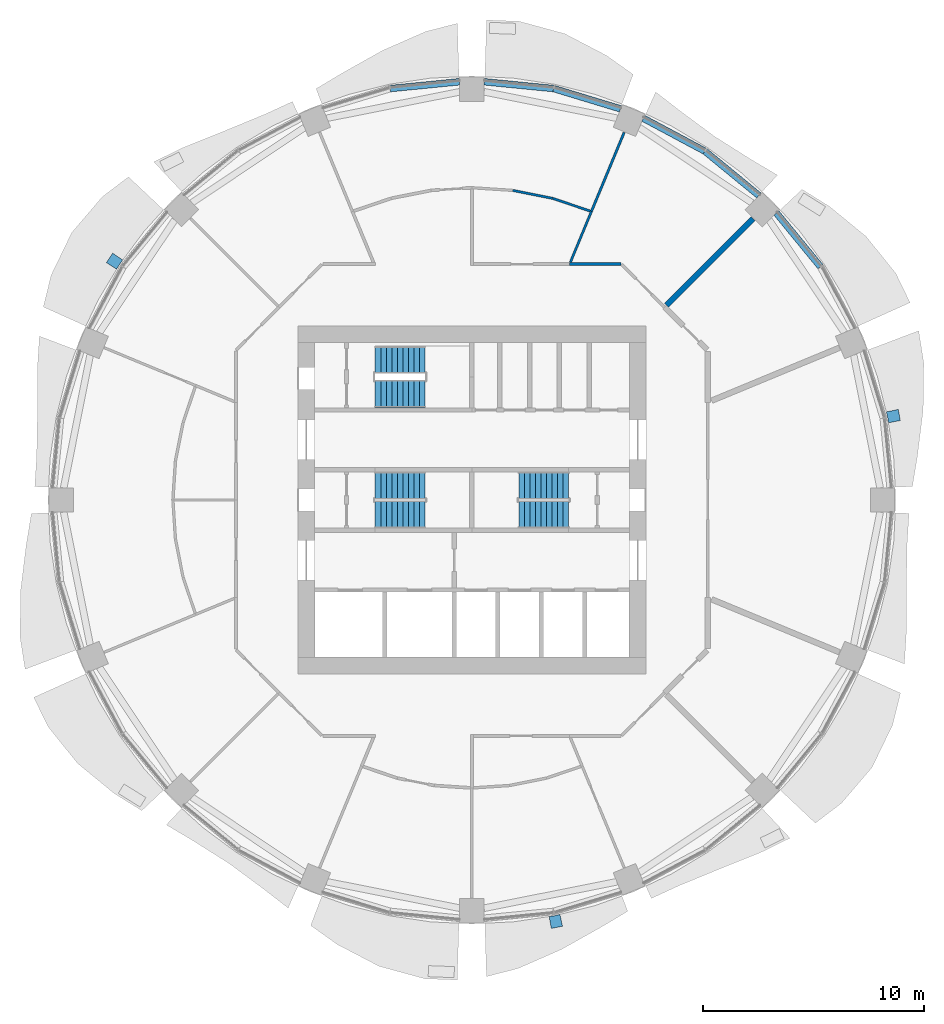
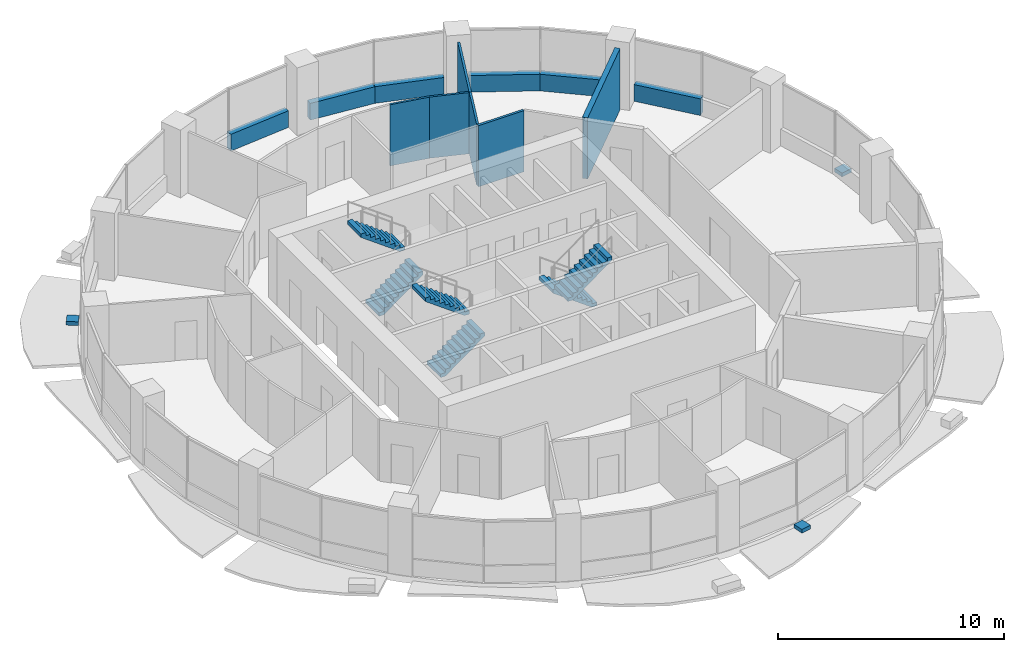
# One storey, part 10 of 14: 12 walls, 6 stair flights, 3 discrete accessories, 3 elements without a shape of their own.
"""IFC4 building model written with IfcOpenShell, lengths in metres."""

from ifc_helpers import new_model, si_unit, direction, frame, frame_2d, origin, place, context, subcontext, project, spatial, polyline, rectangle, outline, extrude, material, layer, layer_set, type_object, element, aggregate, save


model = new_model("IFC4")

# Units and contexts
model_context = context("Model", 3, precision=1e-05, world=origin(), true_north=direction((0.0, 1.0)))
body_context = subcontext(model_context, "Body", "Model", "MODEL_VIEW")
ifc_project = project(units=[si_unit("LENGTHUNIT", "METRE"), si_unit("AREAUNIT", "SQUARE_METRE"), si_unit("VOLUMEUNIT", "CUBIC_METRE"), si_unit("PLANEANGLEUNIT", "RADIAN"), si_unit("MASSUNIT", "GRAM", prefix="KILO")], contexts=[model_context])

# Site, building, storey
site_placement = place(None, origin())
site = spatial("IfcSite", under=ifc_project, at=site_placement, CompositionType="ELEMENT")
building_placement = place(site_placement, origin())
building = spatial("IfcBuilding", under=site, at=building_placement, Name="Polderwave Tower", CompositionType="ELEMENT")
storey_placement = place(building_placement, frame((0.0, 0.0, 109.25)))
storey = spatial("IfcBuildingStorey", under=building, at=storey_placement, Name="L28", CompositionType="ELEMENT", Elevation=109.25)

# Walls
ifc_material_1 = material(Name="Concrete C50/60 (board-marked)", Category="concrete")
ifc_layer_1 = layer(ifc_material_1, 0.300048828125)
ifc_layer_set_1 = layer_set([ifc_layer_1], Name="Concrete spandrel upstand C50/60")
wall_type_1 = type_object("IfcWallType", Name="Concrete spandrel upstand C50/60", PredefinedType="SOLIDWALL", material=ifc_layer_set_1)
for number, where, z_axis, x_axis, name in (
    (1, (15.771484375, 10.556640625, 0.0), (0.0, 0.0, 1.0), (-0.634274895162, 0.773107597536, 0.0), "Spandrel L28 2b"),
    (2, (12.9833984375, 13.780517578125, 0.0), (0.0, 0.0, 1.0), (-0.773107597536, 0.634274895162, 0.0), "Spandrel L28 3a"),
):
    element("IfcWall", number, at=place(storey_placement, frame(where, z_axis=z_axis, x_axis=x_axis)), inside=storey, type_object=wall_type_1, Name=name, PredefinedType="SOLIDWALL", context=body_context, shape_type="SweptSolid", body=[
        extrude(rectangle(XDim=3.138916015625, YDim=0.300048828125, at=frame_2d((1.5693359375, 0.0))), origin(), (0.0, 0.0, 1.0), 0.89990234375),
    ])
wall_1_placement = place(storey_placement, frame((10.53173828125, 15.7880859375, 0.0), z_axis=(0.0, 0.0, 1.0), x_axis=(-0.88193278355, 0.471375185282, 0.0)))
element("IfcWall", 3, at=wall_1_placement, inside=storey, type_object=wall_type_1, Name="Spandrel L28 3b", PredefinedType="SOLIDWALL", context=body_context, shape_type="SweptSolid", body=[
    extrude(rectangle(XDim=3.13916015625, YDim=0.300048828125, at=frame_2d((1.569580078125, 0.0))), origin(), (0.0, 0.0, 1.0), 0.89990234375),
])
wall_2_placement = place(storey_placement, frame((6.7216796875, 17.699462890625, 0.0), z_axis=(0.0, 0.0, 1.0), x_axis=(-0.956961595403, 0.290214584271, 0.0)))
element("IfcWall", 4, at=wall_2_placement, inside=storey, type_object=wall_type_1, Name="Spandrel L28 4a", PredefinedType="SOLIDWALL", context=body_context, shape_type="SweptSolid", body=[
    extrude(rectangle(XDim=3.139404296875, YDim=0.300048828125, at=frame_2d((1.56982421875, 0.0))), origin(), (0.0, 0.0, 1.0), 0.89990234375),
])
for number, where, z_axis, x_axis, name in (
    (5, (3.68798828125, 18.616455078125, 0.0), (0.0, 0.0, 1.0), (-0.995171790956, 0.098148390136, 0.0), "Spandrel L28 4b"),
    (6, (-0.56396484375, 18.924560546875, 0.0), (0.0, 0.0, 1.0), (-0.995171790956, -0.098148390136, 0.0), "Spandrel L28 5a"),
):
    element("IfcWall", number, at=place(storey_placement, frame(where, z_axis=z_axis, x_axis=x_axis)), inside=storey, type_object=wall_type_1, Name=name, PredefinedType="SOLIDWALL", context=body_context, shape_type="SweptSolid", body=[
        extrude(rectangle(XDim=3.13916015625, YDim=0.300048828125, at=frame_2d((1.569580078125, 0.0))), origin(), (0.0, 0.0, 1.0), 0.89990234375),
    ])
ifc_material_2 = material(Name="Fire-resisting board on steel studs", Category="steel")
ifc_layer_2 = layer(ifc_material_2, 0.125)
ifc_layer_set_2 = layer_set([ifc_layer_2], Name="Corridor wall 125 mm EI 60")
wall_type_2 = type_object("IfcWallType", Name="Corridor wall 125 mm EI 60", PredefinedType="PARTITIONING", material=ifc_layer_set_2)
wall_3_placement = place(storey_placement, frame((4.42138671875, 10.674072265625, 0.0), z_axis=(0.0, 0.0, 1.0), x_axis=(1.0, 0.0, 0.0)))
element("IfcWall", 7, at=wall_3_placement, inside=storey, type_object=wall_type_2, Name="IN-L28-W006", PredefinedType="PARTITIONING", context=body_context, shape_type="SweptSolid", body=[
    extrude(rectangle(XDim=2.32373046875, YDim=0.125, at=frame_2d((1.161865234375, 0.0))), origin(), (0.0, 0.0, 1.0), 3.300048828125),
])
ifc_material_3 = material(Name="Moisture-resistant board on steel studs, tiled", Category="steel")
ifc_layer_3 = layer(ifc_material_3, 0.10498046875)
ifc_layer_set_3 = layer_set([ifc_layer_3], Name="Partition 105 mm wet room board and tile")
wall_type_3 = type_object("IfcWallType", Name="Partition 105 mm wet room board and tile", PredefinedType="PARTITIONING", material=ifc_layer_set_3)
wall_4_placement = place(storey_placement, frame((4.45556640625, 10.756591796875, 0.0), z_axis=(0.0, 0.0, 1.0), x_axis=(0.382634999188, 0.923899592703, 0.0)))
element("IfcWall", 8, at=wall_4_placement, inside=storey, type_object=wall_type_3, Name="IN-L28-W025", PredefinedType="PARTITIONING", context=body_context, shape_type="SweptSolid", body=[
    extrude(rectangle(XDim=2.487060546875, YDim=0.10498046875, at=frame_2d((1.24365234375, 0.0))), origin(), (0.0, 0.0, 1.0), 3.300048828125),
])
wall_5_placement = place(storey_placement, frame((1.84765625, 14.00830078125, 0.0), z_axis=(0.0, 0.0, 1.0), x_axis=(0.98079932362, -0.195019708711, 0.0)))
element("IfcWall", 9, at=wall_5_placement, inside=storey, type_object=wall_type_3, Name="IN-L28-W028", PredefinedType="PARTITIONING", context=body_context, shape_type="SweptSolid", body=[
    extrude(rectangle(XDim=1.841552734375, YDim=0.10498046875, at=frame_2d((0.9208984375, 0.0))), origin(), (0.0, 0.0, 1.0), 3.300048828125),
])
wall_6_placement = place(storey_placement, frame((3.660400390625, 13.6474609375, 0.0), z_axis=(0.0, 0.0, 1.0), x_axis=(0.946919275018, -0.321471439787, 0.0)))
element("IfcWall", 10, at=wall_6_placement, inside=storey, type_object=wall_type_3, Name="IN-L28-W029", PredefinedType="PARTITIONING", context=body_context, shape_type="SweptSolid", body=[
    extrude(rectangle(XDim=1.7861328125, YDim=0.10498046875, at=frame_2d((0.89306640625, 0.0))), origin(), (0.0, 0.0, 1.0), 3.300048828125),
])
ifc_material_4 = material(Name="Acoustic double plasterboard on steel studs", Category="steel")
ifc_layer_4 = layer(ifc_material_4, 0.110107421875)
ifc_layer_set_4 = layer_set([ifc_layer_4], Name="Partition 110 mm acoustic double board")
wall_type_4 = type_object("IfcWallType", Name="Partition 110 mm acoustic double board", PredefinedType="PARTITIONING", material=ifc_layer_set_4)
wall_7_placement = place(storey_placement, frame((5.4072265625, 13.054443359375, 0.0), z_axis=(0.0, 0.0, 1.0), x_axis=(0.382674944996, 0.923883048049, 0.0)))
element("IfcWall", 11, at=wall_7_placement, inside=storey, type_object=wall_type_4, Name="IN-L28-W026", PredefinedType="PARTITIONING", context=body_context, shape_type="SweptSolid", body=[
    extrude(rectangle(XDim=3.8701171875, YDim=0.110107421875, at=frame_2d((1.93505859375, 0.0))), origin(), (0.0, 0.0, 1.0), 3.300048828125),
])
ifc_material_5 = material(Name="Fire-resisting board on steel studs, mineral wool", Category="steel")
ifc_layer_5 = layer(ifc_material_5, 0.25)
ifc_layer_set_5 = layer_set([ifc_layer_5], Name="Plant room wall 250 mm EI 120")
wall_type_5 = type_object("IfcWallType", Name="Plant room wall 250 mm EI 120", PredefinedType="PARTITIONING", material=ifc_layer_set_5)
wall_8_placement = place(storey_placement, frame((12.727783203125, 12.727783203125, 0.0), z_axis=(0.0, 0.0, 1.0), x_axis=(-0.707106781187, -0.707106781187, 0.0)))
element("IfcWall", 12, at=wall_8_placement, inside=storey, type_object=wall_type_5, Name="IN-L28-W024", PredefinedType="PARTITIONING", context=body_context, shape_type="SweptSolid", body=[
    extrude(rectangle(XDim=5.53955078125, YDim=0.25, at=frame_2d((2.769775390625, 0.0))), origin(), (0.0, 0.0, 1.0), 3.300048828125),
])

# Stair, stair flights
ifc_material_6 = material(Name="Concrete C40/50", Category="concrete")
stair_type = type_object("IfcStairType", Name="Exit stair 1200 x 20 risers", PredefinedType="HALF_TURN_STAIR", material=ifc_material_6)
stair_1_placement = place(storey_placement, origin())
stair_1 = element("IfcStair", 13, at=stair_1_placement, inside=storey, type_object=stair_type, Name="L28 Exit stair A", PredefinedType="HALF_TURN_STAIR")
stair_flight_type = type_object("IfcStairFlightType", Name="Stair flight 1200", PredefinedType="STRAIGHT", material=ifc_material_6)
stair_flight_1_placement = place(storey_placement, frame((-4.3740234375, -0.675048828125, 0.0), z_axis=(0.0, 0.0, 1.0), x_axis=(1.0, 0.0, 0.0)))
stair_flight_1 = element("IfcStairFlight", 14, at=stair_flight_1_placement, type_object=stair_flight_type, Name="ST-A flight 1", NumberOfRisers=10, NumberOfTreads=9, PredefinedType="STRAIGHT", RiserHeight=0.1825, TreadLength=0.25, context=body_context, shape_type="SweptSolid", body=[
    extrude(outline(polyline([(0.0, 0.0), (0.0, 0.1826171875), (0.25, 0.1826171875), (0.25, 0.364990234375), (0.5, 0.364990234375), (0.5, 0.547607421875), (0.75, 0.547607421875), (0.75, 0.72998046875), (1.0, 0.72998046875), (1.0, 0.91259765625), (1.25, 0.91259765625), (1.25, 1.094970703125), (1.5, 1.094970703125), (1.5, 1.277587890625), (1.75, 1.277587890625), (1.75, 1.4599609375), (2.0, 1.4599609375), (2.0, 1.642578125), (2.25, 1.642578125), (2.25, 1.824951171875), (2.25, 1.456787109375), (0.254150390625, 0.0), (0.0, 0.0)])), frame((0.0, 0.60009765625, 0.0), z_axis=(0.0, -1.0, 0.0), x_axis=(1.0, 0.0, 0.0)), (0.0, 0.0, 1.0), 1.199951171875),
])
stair_flight_2_placement = place(storey_placement, frame((-2.1240234375, 0.675048828125, 1.824951171875), z_axis=(0.0, 0.0, 1.0), x_axis=(-1.0, 0.0, 0.0)))
stair_flight_2 = element("IfcStairFlight", 15, at=stair_flight_2_placement, type_object=stair_flight_type, Name="ST-A flight 2", NumberOfRisers=10, NumberOfTreads=9, PredefinedType="STRAIGHT", RiserHeight=0.1825, TreadLength=0.25, context=body_context, shape_type="SweptSolid", body=[
    extrude(outline(polyline([(0.0, 0.0), (0.0, 0.1826171875), (0.25, 0.1826171875), (0.25, 0.364990234375), (0.5, 0.364990234375), (0.5, 0.547607421875), (0.75, 0.547607421875), (0.75, 0.72998046875), (1.0, 0.72998046875), (1.0, 0.91259765625), (1.25, 0.91259765625), (1.25, 1.094970703125), (1.5, 1.094970703125), (1.5, 1.277587890625), (1.75, 1.277587890625), (1.75, 1.4599609375), (2.0, 1.4599609375), (2.0, 1.642578125), (2.25, 1.642578125), (2.25, 1.824951171875), (2.25, 1.456787109375), (0.254150390625, 0.0), (0.0, 0.0)])), frame((0.0, 0.60009765625, 0.0), z_axis=(0.0, -1.0, 0.0), x_axis=(1.0, 0.0, 0.0)), (0.0, 0.0, 1.0), 1.199951171875),
])
aggregate(stair_1, [stair_flight_1, stair_flight_2])

stair_2_placement = place(storey_placement, origin())
stair_2 = element("IfcStair", 16, at=stair_2_placement, inside=storey, type_object=stair_type, Name="L28 Exit stair B", PredefinedType="HALF_TURN_STAIR")
stair_flight_3_placement = place(storey_placement, frame((4.3740234375, 0.675048828125, 0.0), z_axis=(0.0, 0.0, 1.0), x_axis=(-1.0, 0.0, 0.0)))
stair_flight_3 = element("IfcStairFlight", 17, at=stair_flight_3_placement, type_object=stair_flight_type, Name="ST-B flight 1", NumberOfRisers=10, NumberOfTreads=9, PredefinedType="STRAIGHT", RiserHeight=0.1825, TreadLength=0.25, context=body_context, shape_type="SweptSolid", body=[
    extrude(outline(polyline([(0.0, 0.0), (0.0, 0.1826171875), (0.25, 0.1826171875), (0.25, 0.364990234375), (0.5, 0.364990234375), (0.5, 0.547607421875), (0.75, 0.547607421875), (0.75, 0.72998046875), (1.0, 0.72998046875), (1.0, 0.91259765625), (1.25, 0.91259765625), (1.25, 1.094970703125), (1.5, 1.094970703125), (1.5, 1.277587890625), (1.75, 1.277587890625), (1.75, 1.4599609375), (2.0, 1.4599609375), (2.0, 1.642578125), (2.25, 1.642578125), (2.25, 1.824951171875), (2.25, 1.456787109375), (0.254150390625, 0.0), (0.0, 0.0)])), frame((0.0, 0.60009765625, 0.0), z_axis=(0.0, -1.0, 0.0), x_axis=(1.0, 0.0, 0.0)), (0.0, 0.0, 1.0), 1.199951171875),
])
stair_flight_4_placement = place(storey_placement, frame((2.1240234375, -0.675048828125, 1.824951171875), z_axis=(0.0, 0.0, 1.0), x_axis=(1.0, 0.0, 0.0)))
stair_flight_4 = element("IfcStairFlight", 18, at=stair_flight_4_placement, type_object=stair_flight_type, Name="ST-B flight 2", NumberOfRisers=10, NumberOfTreads=9, PredefinedType="STRAIGHT", RiserHeight=0.1825, TreadLength=0.25, context=body_context, shape_type="SweptSolid", body=[
    extrude(outline(polyline([(0.0, 0.0), (0.0, 0.1826171875), (0.25, 0.1826171875), (0.25, 0.364990234375), (0.5, 0.364990234375), (0.5, 0.547607421875), (0.75, 0.547607421875), (0.75, 0.72998046875), (1.0, 0.72998046875), (1.0, 0.91259765625), (1.25, 0.91259765625), (1.25, 1.094970703125), (1.5, 1.094970703125), (1.5, 1.277587890625), (1.75, 1.277587890625), (1.75, 1.4599609375), (2.0, 1.4599609375), (2.0, 1.642578125), (2.25, 1.642578125), (2.25, 1.824951171875), (2.25, 1.456787109375), (0.254150390625, 0.0), (0.0, 0.0)])), frame((0.0, 0.60009765625, 0.0), z_axis=(0.0, -1.0, 0.0), x_axis=(1.0, 0.0, 0.0)), (0.0, 0.0, 1.0), 1.199951171875),
])
aggregate(stair_2, [stair_flight_3, stair_flight_4])

stair_3_placement = place(storey_placement, origin())
stair_3 = element("IfcStair", 19, at=stair_3_placement, inside=storey, type_object=stair_type, Name="L28 Exit stair C", PredefinedType="HALF_TURN_STAIR")
stair_flight_5_placement = place(storey_placement, frame((-4.3740234375, 4.77392578125, 0.0), z_axis=(0.0, 0.0, 1.0), x_axis=(1.0, 0.0, 0.0)))
stair_flight_5 = element("IfcStairFlight", 20, at=stair_flight_5_placement, type_object=stair_flight_type, Name="ST-C flight 1", NumberOfRisers=10, NumberOfTreads=9, PredefinedType="STRAIGHT", RiserHeight=0.1825, TreadLength=0.25, context=body_context, shape_type="SweptSolid", body=[
    extrude(outline(polyline([(0.0, 0.0), (0.0, 0.1826171875), (0.25, 0.1826171875), (0.25, 0.364990234375), (0.5, 0.364990234375), (0.5, 0.547607421875), (0.75, 0.547607421875), (0.75, 0.72998046875), (1.0, 0.72998046875), (1.0, 0.91259765625), (1.25, 0.91259765625), (1.25, 1.094970703125), (1.5, 1.094970703125), (1.5, 1.277587890625), (1.75, 1.277587890625), (1.75, 1.4599609375), (2.0, 1.4599609375), (2.0, 1.642578125), (2.25, 1.642578125), (2.25, 1.824951171875), (2.25, 1.456787109375), (0.254150390625, 0.0), (0.0, 0.0)])), frame((0.0, 0.60009765625, 0.0), z_axis=(0.0, -1.0, 0.0), x_axis=(1.0, 0.0, 0.0)), (0.0, 0.0, 1.0), 1.199951171875),
])
stair_flight_6_placement = place(storey_placement, frame((-2.1240234375, 6.3740234375, 1.824951171875), z_axis=(0.0, 0.0, 1.0), x_axis=(-1.0, 0.0, 0.0)))
stair_flight_6 = element("IfcStairFlight", 21, at=stair_flight_6_placement, type_object=stair_flight_type, Name="ST-C flight 2", NumberOfRisers=10, NumberOfTreads=9, PredefinedType="STRAIGHT", RiserHeight=0.1825, TreadLength=0.25, context=body_context, shape_type="SweptSolid", body=[
    extrude(outline(polyline([(0.0, 0.0), (0.0, 0.1826171875), (0.25, 0.1826171875), (0.25, 0.364990234375), (0.5, 0.364990234375), (0.5, 0.547607421875), (0.75, 0.547607421875), (0.75, 0.72998046875), (1.0, 0.72998046875), (1.0, 0.91259765625), (1.25, 0.91259765625), (1.25, 1.094970703125), (1.5, 1.094970703125), (1.5, 1.277587890625), (1.75, 1.277587890625), (1.75, 1.4599609375), (2.0, 1.4599609375), (2.0, 1.642578125), (2.25, 1.642578125), (2.25, 1.824951171875), (2.25, 1.456787109375), (0.254150390625, 0.0), (0.0, 0.0)])), frame((0.0, 0.60009765625, 0.0), z_axis=(0.0, -1.0, 0.0), x_axis=(1.0, 0.0, 0.0)), (0.0, 0.0, 1.0), 1.199951171875),
])
aggregate(stair_3, [stair_flight_5, stair_flight_6])

# Discrete accessories
ifc_material_7 = material(Name="Steel S355", Category="steel")
discrete_accessory_type = type_object("IfcDiscreteAccessoryType", Name="Band bracket pad", PredefinedType="BRACKET", material=ifc_material_7)
discrete_accessory_1_placement = place(storey_placement, frame((0.0, 0.0, -0.199951171875)))
element("IfcDiscreteAccessory", 22, at=discrete_accessory_1_placement, inside=storey, type_object=discrete_accessory_type, Name="Band bracket L28 1", PredefinedType="BRACKET", context=body_context, shape_type="SweptSolid", body=[
    extrude(outline(polyline([(18.84814453125, 3.494384765625), (18.8115234375, 3.74169921875), (18.750732421875, 3.984375), (19.288818359375, 4.0986328125), (19.388916015625, 3.5947265625), (18.84814453125, 3.494384765625)])), origin(), (0.0, 0.0, 1.0), 0.199951171875),
])
discrete_accessory_2_placement = place(storey_placement, frame((0.0, 0.0, -0.199951171875)))
element("IfcDiscreteAccessory", 23, at=discrete_accessory_2_placement, inside=storey, type_object=discrete_accessory_type, Name="Band bracket L28 7", PredefinedType="BRACKET", context=body_context, shape_type="SweptSolid", body=[
    extrude(outline(polyline([(-15.798583984375, 10.856689453125), (-15.947509765625, 10.65576171875), (-16.076171875, 10.44140625), (-16.537353515625, 10.740966796875), (-16.251953125, 11.168212890625), (-15.798583984375, 10.856689453125)])), origin(), (0.0, 0.0, 1.0), 0.199951171875),
])
discrete_accessory_3_placement = place(storey_placement, frame((0.0, 0.0, -0.199951171875)))
element("IfcDiscreteAccessory", 24, at=discrete_accessory_3_placement, inside=storey, type_object=discrete_accessory_type, Name="Band bracket L28 13", PredefinedType="BRACKET", context=body_context, shape_type="SweptSolid", body=[
    extrude(outline(polyline([(3.494384765625, -18.84814453125), (3.74169921875, -18.8115234375), (3.984375, -18.750732421875), (4.0986328125, -19.288818359375), (3.5947265625, -19.388916015625), (3.494384765625, -18.84814453125)])), origin(), (0.0, 0.0, 1.0), 0.199951171875),
])

save(model, "model.ifc")
